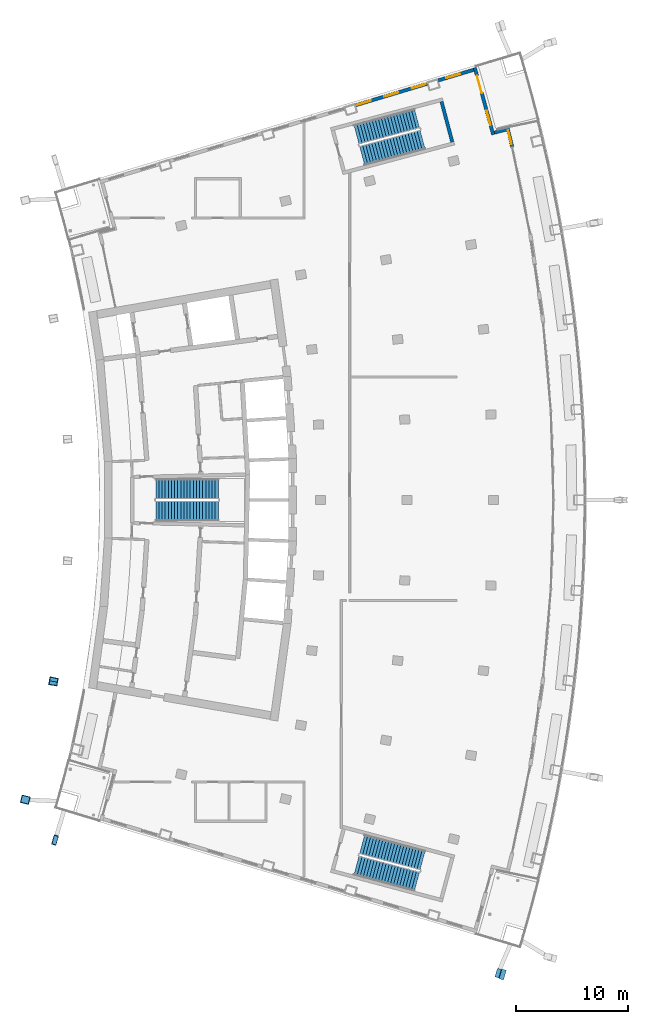
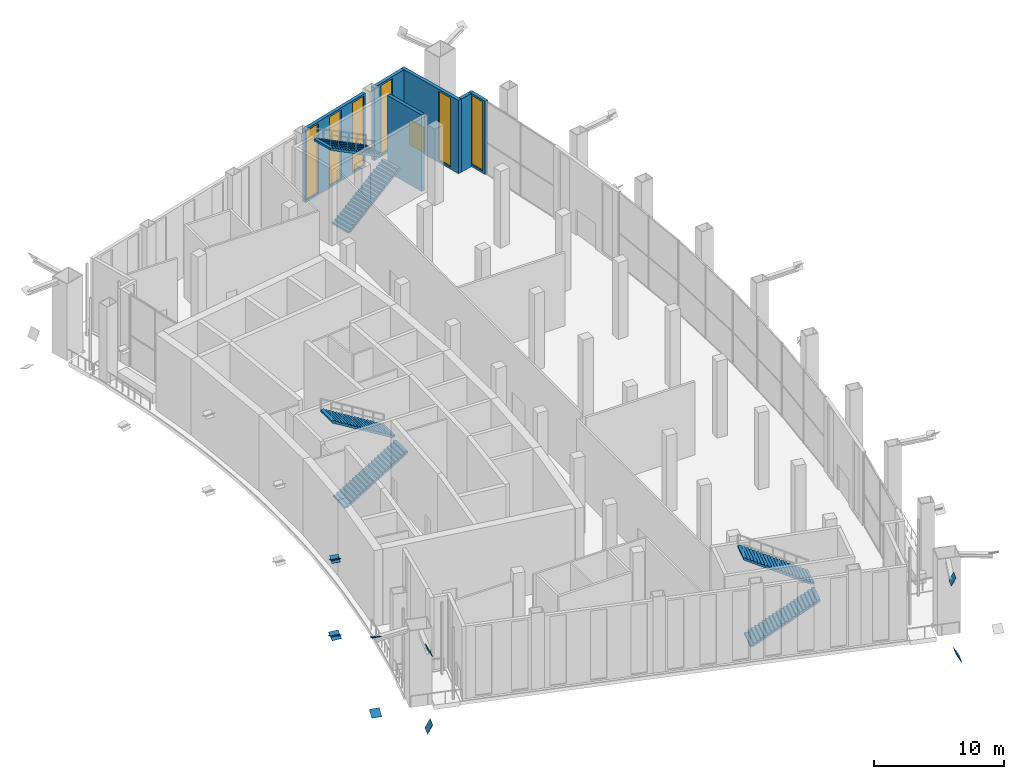
# One storey, part 19 of 26: 10 discrete accessories, 6 stair flights, 6 walls, 6 windows, 1 door, 7 openings, 3 elements without a shape of their own.
"""IFC4 building model written with IfcOpenShell, lengths in metres."""

from ifc_helpers import new_model, si_unit, direction, frame, frame_2d, origin, origin_2d, place, context, subcontext, project, spatial, polyline, rectangle, outline, extrude, material, layer, layer_set, material_profile, profile_set, type_object, element, fill, aggregate, save


model = new_model("IFC4")

# Units and contexts
model_context = context("Model", 3, precision=1e-05, world=origin(), true_north=direction((0.0, 1.0)))
body_context = subcontext(model_context, "Body", "Model", "MODEL_VIEW")
ifc_project = project(units=[si_unit("LENGTHUNIT", "METRE"), si_unit("AREAUNIT", "SQUARE_METRE"), si_unit("VOLUMEUNIT", "CUBIC_METRE"), si_unit("PLANEANGLEUNIT", "RADIAN"), si_unit("MASSUNIT", "GRAM", prefix="KILO")], contexts=[model_context])

# Site, building, storey
site_placement = place(None, origin())
site = spatial("IfcSite", under=ifc_project, at=site_placement, CompositionType="ELEMENT")
building_placement = place(site_placement, origin())
building = spatial("IfcBuilding", under=site, at=building_placement, Name="Alderwake Tower", CompositionType="ELEMENT")
storey_placement = place(building_placement, frame((0.0, 0.0, 182.0)))
storey = spatial("IfcBuildingStorey", under=building, at=storey_placement, Name="L45", CompositionType="ELEMENT", Elevation=182.0)

# Wall
ifc_material_1 = material(Name="Concrete C70/85", Category="concrete")
ifc_layer_1 = layer(ifc_material_1, 0.300048828125)
ifc_layer_set_1 = layer_set([ifc_layer_1], Name="Core wall stair enclosure 300 C70-85")
wall_type_1 = type_object("IfcWallType", Name="Core wall stair enclosure 300 C70-85", PredefinedType="SHEAR", material=ifc_layer_set_1)
wall_1_placement = place(storey_placement, frame((47.581298828125, 93.041748046875, 0.0), z_axis=(0.0, 0.0, 1.0), x_axis=(-0.257366821694, 0.966313778796, 0.0)))
element("IfcWall", 1, at=wall_1_placement, inside=storey, type_object=wall_type_1, Name="Core wall CW.081", PredefinedType="SHEAR", context=body_context, shape_type="SweptSolid", body=[
    extrude(rectangle(XDim=3.749755859375, YDim=0.300048828125, at=frame_2d((1.875, 0.0))), origin(), (0.0, 0.0, 1.0), 7.199951171875),
])

# Wall, opening, window
ifc_material_2 = material(Name="Precast concrete C50/60 spandrel panel", Category="concrete")
ifc_layer_2 = layer(ifc_material_2, 0.300048828125)
ifc_layer_set_2 = layer_set([ifc_layer_2], Name="External wall EW1 Precast concrete C50/60 spandrel")
wall_type_2 = type_object("IfcWallType", Name="External wall EW1 Precast concrete C50/60 spandrel", PredefinedType="SOLIDWALL", material=ifc_layer_set_2)
wall_2_placement = place(storey_placement, frame((52.947021484375, 92.59619140625, 0.0), z_axis=(0.0, 0.0, 1.0), x_axis=(-0.238272414393, 0.971198361067, 0.0)))
wall_2 = element("IfcWall", 2, at=wall_2_placement, inside=storey, type_object=wall_type_2, Name="External wall 17", PredefinedType="SOLIDWALL", context=body_context, shape_type="SweptSolid", body=[
    extrude(rectangle(XDim=1.793212890625, YDim=0.300048828125, at=frame_2d((0.896484375, 0.0))), origin(), (0.0, 0.0, 1.0), 6.8798828125),
])
opening_1_placement = place(wall_2_placement, frame((0.24658203125, 0.0, 0.199951171875)))
opening_1 = element("IfcOpeningElement", 3, at=opening_1_placement, cuts=wall_2, Name="Opening W5", PredefinedType="OPENING", context=body_context, shape_type="SweptSolid", body=[
    extrude(rectangle(XDim=1.300048828125, YDim=6.5, at=frame_2d((0.64990234375, 3.25))), frame((0.0, 0.159912109375, 0.0), z_axis=(0.0, -1.0, 0.0), x_axis=(1.0, 0.0, 0.0)), (0.0, 0.0, 1.0), 0.320068359375),
])
ifc_material_3 = material(Name="Bronze tinted glass in aluminium frame", Category="aluminium")
window_type = type_object("IfcWindowType", Name="Window W5 garden floor tall", PartitioningType="SINGLE_PANEL", PredefinedType="WINDOW", material=ifc_material_3)
window_1_placement = place(opening_1_placement, origin())
window_1 = element("IfcWindow", 4, at=window_1_placement, inside=storey, type_object=window_type, Name="Window W5 garden floor tall", OverallHeight=6.5, OverallWidth=1.300048828125, PartitioningType="SINGLE_PANEL", PredefinedType="WINDOW", context=body_context, shape_type="SweptSolid", body=[
    extrude(rectangle(XDim=1.300048828125, YDim=6.5, at=frame_2d((0.64990234375, 3.25))), frame((0.0, 0.030029296875, 0.0), z_axis=(0.0, -1.0, 0.0), x_axis=(1.0, 0.0, 0.0)), (0.0, 0.0, 1.0), 0.06005859375),
])
fill(opening_1, window_1)

# Wall
ifc_material_4 = material(Name="Bronze metal cladding on lightweight framing")
ifc_layer_3 = layer(ifc_material_4, 0.300048828125)
ifc_layer_set_3 = layer_set([ifc_layer_3], Name="External wall EW2 bronze metal cladding")
wall_type_3 = type_object("IfcWallType", Name="External wall EW2 bronze metal cladding", PredefinedType="SOLIDWALL", material=ifc_layer_set_3)
wall_3_placement = place(storey_placement, frame((52.409912109375, 94.155029296875, 0.0), z_axis=(0.0, 0.0, 1.0), x_axis=(-0.969469436382, -0.24521217735, 0.0)))
element("IfcWall", 5, at=wall_3_placement, inside=storey, type_object=wall_type_3, Name="External wall 18", PredefinedType="SOLIDWALL", context=body_context, shape_type="SweptSolid", body=[
    extrude(rectangle(XDim=1.09423828125, YDim=0.300048828125, at=frame_2d((0.547119140625, 0.0))), origin(), (0.0, 0.0, 1.0), 6.8798828125),
])

# Wall, openings, door, window
wall_4_placement = place(storey_placement, frame((51.243408203125, 93.705078125, 0.0), z_axis=(0.0, 0.0, 1.0), x_axis=(-0.265080723664, 0.964226223426, 0.0)))
wall_4 = element("IfcWall", 6, at=wall_4_placement, inside=storey, type_object=wall_type_3, Name="External wall 19", PredefinedType="SOLIDWALL", context=body_context, shape_type="SweptSolid", body=[
    extrude(rectangle(XDim=6.216796875, YDim=0.300048828125, at=frame_2d((3.1083984375, 0.0))), origin(), (0.0, 0.0, 1.0), 6.8798828125),
])
opening_2_placement = place(wall_4_placement, frame((0.904296875, 0.0, 0.199951171875)))
opening_2 = element("IfcOpeningElement", 7, at=opening_2_placement, cuts=wall_4, Name="Opening W5", PredefinedType="OPENING", context=body_context, shape_type="SweptSolid", body=[
    extrude(rectangle(XDim=1.300048828125, YDim=6.5, at=frame_2d((0.64990234375, 3.25))), frame((0.0, 0.159912109375, 0.0), z_axis=(0.0, -1.0, 0.0), x_axis=(1.0, 0.0, 0.0)), (0.0, 0.0, 1.0), 0.320068359375),
])
opening_3_placement = place(wall_4_placement, frame((3.862548828125, 0.0, 0.0)))
opening_3 = element("IfcOpeningElement", 8, at=opening_3_placement, cuts=wall_4, Name="Opening D06", PredefinedType="OPENING", context=body_context, shape_type="SweptSolid", body=[
    extrude(rectangle(XDim=1.60009765625, YDim=2.39990234375, at=frame_2d((0.800048828125, 1.199951171875))), frame((0.0, 0.159912109375, 0.0), z_axis=(0.0, -1.0, 0.0), x_axis=(1.0, 0.0, 0.0)), (0.0, 0.0, 1.0), 0.320068359375),
])
ifc_material_5 = material(Name="Bronze tinted glass in aluminium frame", Category="aluminium")
door_type = type_object("IfcDoorType", Name="Terrace door TD sliding", OperationType="SLIDING_TO_LEFT", PredefinedType="DOOR", material=ifc_material_5)
door_placement = place(opening_3_placement, origin())
door = element("IfcDoor", 9, at=door_placement, inside=storey, type_object=door_type, Name="Door D06", OperationType="SLIDING_TO_LEFT", OverallHeight=2.39990234375, OverallWidth=1.60009765625, PredefinedType="DOOR", context=body_context, shape_type="SweptSolid", body=[
    extrude(rectangle(XDim=1.60009765625, YDim=2.39990234375, at=frame_2d((0.800048828125, 1.199951171875))), frame((0.0, 0.02490234375, 0.0), z_axis=(0.0, -1.0, 0.0), x_axis=(1.0, 0.0, 0.0)), (0.0, 0.0, 1.0), 0.050048828125),
])
fill(opening_3, door)
window_2_placement = place(opening_2_placement, origin())
window_2 = element("IfcWindow", 10, at=window_2_placement, inside=storey, type_object=window_type, Name="Window W5 garden floor tall", OverallHeight=6.5, OverallWidth=1.300048828125, PartitioningType="SINGLE_PANEL", PredefinedType="WINDOW", context=body_context, shape_type="SweptSolid", body=[
    extrude(rectangle(XDim=1.300048828125, YDim=6.5, at=frame_2d((0.64990234375, 3.25))), frame((0.0, 0.030029296875, 0.0), z_axis=(0.0, -1.0, 0.0), x_axis=(1.0, 0.0, 0.0)), (0.0, 0.0, 1.0), 0.06005859375),
])
fill(opening_2, window_2)

# Wall, opening, window
wall_5_placement = place(storey_placement, frame((49.49169921875, 99.51171875, 0.0), z_axis=(0.0, 0.0, 1.0), x_axis=(-0.957757642826, -0.287576594332, 0.0)))
wall_5 = element("IfcWall", 11, at=wall_5_placement, inside=storey, type_object=wall_type_3, Name="External wall 20", PredefinedType="SOLIDWALL", context=body_context, shape_type="SweptSolid", body=[
    extrude(rectangle(XDim=3.32958984375, YDim=0.300048828125, at=frame_2d((1.664794921875, 0.0))), origin(), (0.0, 0.0, 1.0), 6.8798828125),
])
opening_4_placement = place(wall_5_placement, frame((1.265625, 0.0, 0.199951171875)))
opening_4 = element("IfcOpeningElement", 12, at=opening_4_placement, cuts=wall_5, Name="Opening W5", PredefinedType="OPENING", context=body_context, shape_type="SweptSolid", body=[
    extrude(rectangle(XDim=1.300048828125, YDim=6.5, at=frame_2d((0.64990234375, 3.25))), frame((0.0, 0.159912109375, 0.0), z_axis=(0.0, -1.0, 0.0), x_axis=(1.0, 0.0, 0.0)), (0.0, 0.0, 1.0), 0.320068359375),
])
window_3_placement = place(opening_4_placement, origin())
window_3 = element("IfcWindow", 13, at=window_3_placement, inside=storey, type_object=window_type, Name="Window W5 garden floor tall", OverallHeight=6.5, OverallWidth=1.300048828125, PartitioningType="SINGLE_PANEL", PredefinedType="WINDOW", context=body_context, shape_type="SweptSolid", body=[
    extrude(rectangle(XDim=1.300048828125, YDim=6.5, at=frame_2d((0.64990234375, 3.25))), frame((0.0, 0.030029296875, 0.0), z_axis=(0.0, -1.0, 0.0), x_axis=(1.0, 0.0, 0.0)), (0.0, 0.0, 1.0), 0.06005859375),
])
fill(opening_4, window_3)

# Wall, openings, windows
wall_6_placement = place(storey_placement, frame((45.341552734375, 98.265625, 0.0), z_axis=(0.0, 0.0, 1.0), x_axis=(-0.957769353605, -0.287537589359, 0.0)))
wall_6 = element("IfcWall", 14, at=wall_6_placement, inside=storey, type_object=wall_type_3, Name="External wall 21", PredefinedType="SOLIDWALL", context=body_context, shape_type="SweptSolid", body=[
    extrude(rectangle(XDim=6.729736328125, YDim=0.300048828125, at=frame_2d((3.36474609375, 0.0))), origin(), (0.0, 0.0, 1.0), 6.8798828125),
])
opening_5_placement = place(wall_6_placement, frame((0.13720703125, 0.0, 0.199951171875)))
opening_5 = element("IfcOpeningElement", 15, at=opening_5_placement, cuts=wall_6, Name="Opening W5", PredefinedType="OPENING", context=body_context, shape_type="SweptSolid", body=[
    extrude(rectangle(XDim=1.300048828125, YDim=6.5, at=frame_2d((0.64990234375, 3.25))), frame((0.0, 0.159912109375, 0.0), z_axis=(0.0, -1.0, 0.0), x_axis=(1.0, 0.0, 0.0)), (0.0, 0.0, 1.0), 0.320068359375),
])
opening_6_placement = place(wall_6_placement, frame((2.71484375, 0.0, 0.199951171875)))
opening_6 = element("IfcOpeningElement", 16, at=opening_6_placement, cuts=wall_6, Name="Opening W5", PredefinedType="OPENING", context=body_context, shape_type="SweptSolid", body=[
    extrude(rectangle(XDim=1.300048828125, YDim=6.5, at=frame_2d((0.64990234375, 3.25))), frame((0.0, 0.159912109375, 0.0), z_axis=(0.0, -1.0, 0.0), x_axis=(1.0, 0.0, 0.0)), (0.0, 0.0, 1.0), 0.320068359375),
])
opening_7_placement = place(wall_6_placement, frame((5.292724609375, 0.0, 0.199951171875)))
opening_7 = element("IfcOpeningElement", 17, at=opening_7_placement, cuts=wall_6, Name="Opening W5", PredefinedType="OPENING", context=body_context, shape_type="SweptSolid", body=[
    extrude(rectangle(XDim=1.300048828125, YDim=6.5, at=frame_2d((0.64990234375, 3.25))), frame((0.0, 0.159912109375, 0.0), z_axis=(0.0, -1.0, 0.0), x_axis=(1.0, 0.0, 0.0)), (0.0, 0.0, 1.0), 0.320068359375),
])
window_4_placement = place(opening_5_placement, origin())
window_4 = element("IfcWindow", 18, at=window_4_placement, inside=storey, type_object=window_type, Name="Window W5 garden floor tall", OverallHeight=6.5, OverallWidth=1.300048828125, PartitioningType="SINGLE_PANEL", PredefinedType="WINDOW", context=body_context, shape_type="SweptSolid", body=[
    extrude(rectangle(XDim=1.300048828125, YDim=6.5, at=frame_2d((0.64990234375, 3.25))), frame((0.0, 0.030029296875, 0.0), z_axis=(0.0, -1.0, 0.0), x_axis=(1.0, 0.0, 0.0)), (0.0, 0.0, 1.0), 0.06005859375),
])
fill(opening_5, window_4)
window_5_placement = place(opening_6_placement, origin())
window_5 = element("IfcWindow", 19, at=window_5_placement, inside=storey, type_object=window_type, Name="Window W5 garden floor tall", OverallHeight=6.5, OverallWidth=1.300048828125, PartitioningType="SINGLE_PANEL", PredefinedType="WINDOW", context=body_context, shape_type="SweptSolid", body=[
    extrude(rectangle(XDim=1.300048828125, YDim=6.5, at=frame_2d((0.64990234375, 3.25))), frame((0.0, 0.030029296875, 0.0), z_axis=(0.0, -1.0, 0.0), x_axis=(1.0, 0.0, 0.0)), (0.0, 0.0, 1.0), 0.06005859375),
])
fill(opening_6, window_5)
window_6_placement = place(opening_7_placement, origin())
window_6 = element("IfcWindow", 20, at=window_6_placement, inside=storey, type_object=window_type, Name="Window W5 garden floor tall", OverallHeight=6.5, OverallWidth=1.300048828125, PartitioningType="SINGLE_PANEL", PredefinedType="WINDOW", context=body_context, shape_type="SweptSolid", body=[
    extrude(rectangle(XDim=1.300048828125, YDim=6.5, at=frame_2d((0.64990234375, 3.25))), frame((0.0, 0.030029296875, 0.0), z_axis=(0.0, -1.0, 0.0), x_axis=(1.0, 0.0, 0.0)), (0.0, 0.0, 1.0), 0.06005859375),
])
fill(opening_7, window_6)

# Stair, stair flights
ifc_material_6 = material(Name="Concrete C40/50", Category="concrete")
stair_type = type_object("IfcStairType", Name="Core exit stair", PredefinedType="HALF_TURN_STAIR", material=ifc_material_6)
stair_1_placement = place(storey_placement, origin())
stair_1 = element("IfcStair", 21, at=stair_1_placement, inside=storey, type_object=stair_type, Name="L45 Exit Stair B", PredefinedType="HALF_TURN_STAIR")
ifc_material_7 = material(Name="Concrete C40/50", Category="concrete")
ifc_layer_4 = layer(ifc_material_7, 0.14990234375)
ifc_layer_set_4 = layer_set([ifc_layer_4], Name="Core stair flight")
stair_flight_type = type_object("IfcStairFlightType", Name="Core stair flight", PredefinedType="STRAIGHT", material=ifc_layer_set_4)
stair_flight_1_placement = place(storey_placement, frame((21.0400390625, 60.02490234375, 0.0), z_axis=(0.0, 0.0, 1.0), x_axis=(1.0, 0.0, 0.0)))
stair_flight_1 = element("IfcStairFlight", 22, at=stair_flight_1_placement, type_object=stair_flight_type, Name="ST-B flight 1", NumberOfRisers=21, NumberOfTreads=20, PredefinedType="STRAIGHT", RiserHeight=0.171428571, TreadLength=0.28, context=body_context, shape_type="SweptSolid", body=[
    extrude(outline(polyline([(0.0, 0.0), (0.0, 0.17138671875), (0.280029296875, 0.17138671875), (0.280029296875, 0.3427734375), (0.56005859375, 0.3427734375), (0.56005859375, 0.514404296875), (0.840087890625, 0.514404296875), (0.840087890625, 0.685791015625), (1.1201171875, 0.685791015625), (1.1201171875, 0.857177734375), (1.39990234375, 0.857177734375), (1.39990234375, 1.028564453125), (1.679931640625, 1.028564453125), (1.679931640625, 1.199951171875), (1.9599609375, 1.199951171875), (1.9599609375, 1.371337890625), (2.239990234375, 1.371337890625), (2.239990234375, 1.54296875), (2.52001953125, 1.54296875), (2.52001953125, 1.71435546875), (2.800048828125, 1.71435546875), (2.800048828125, 1.8857421875), (3.080078125, 1.8857421875), (3.080078125, 2.05712890625), (3.360107421875, 2.05712890625), (3.360107421875, 2.228515625), (3.639892578125, 2.228515625), (3.639892578125, 2.39990234375), (3.919921875, 2.39990234375), (3.919921875, 2.571533203125), (4.199951171875, 2.571533203125), (4.199951171875, 2.742919921875), (4.47998046875, 2.742919921875), (4.47998046875, 2.914306640625), (4.760009765625, 2.914306640625), (4.760009765625, 3.085693359375), (5.0400390625, 3.085693359375), (5.0400390625, 3.257080078125), (5.320068359375, 3.257080078125), (5.320068359375, 3.428466796875), (5.60009765625, 3.428466796875), (5.60009765625, 3.60009765625), (5.60009765625, 3.252685546875), (0.287109375, 0.0), (0.0, 0.0)])), frame((0.0, 0.89990234375, 0.0), z_axis=(0.0, -1.0, 0.0), x_axis=(1.0, 0.0, 0.0)), (0.0, 0.0, 1.0), 1.800048828125),
])
stair_flight_2_placement = place(storey_placement, frame((26.639892578125, 61.97509765625, 3.60009765625), z_axis=(0.0, 0.0, 1.0), x_axis=(-1.0, 0.0, 0.0)))
stair_flight_2 = element("IfcStairFlight", 23, at=stair_flight_2_placement, type_object=stair_flight_type, Name="ST-B flight 2", NumberOfRisers=21, NumberOfTreads=20, PredefinedType="STRAIGHT", RiserHeight=0.171428571, TreadLength=0.28, context=body_context, shape_type="SweptSolid", body=[
    extrude(outline(polyline([(0.0, 0.0), (0.0, 0.17138671875), (0.280029296875, 0.17138671875), (0.280029296875, 0.3427734375), (0.56005859375, 0.3427734375), (0.56005859375, 0.514404296875), (0.840087890625, 0.514404296875), (0.840087890625, 0.685791015625), (1.1201171875, 0.685791015625), (1.1201171875, 0.857177734375), (1.39990234375, 0.857177734375), (1.39990234375, 1.028564453125), (1.679931640625, 1.028564453125), (1.679931640625, 1.199951171875), (1.9599609375, 1.199951171875), (1.9599609375, 1.371337890625), (2.239990234375, 1.371337890625), (2.239990234375, 1.54296875), (2.52001953125, 1.54296875), (2.52001953125, 1.71435546875), (2.800048828125, 1.71435546875), (2.800048828125, 1.8857421875), (3.080078125, 1.8857421875), (3.080078125, 2.05712890625), (3.360107421875, 2.05712890625), (3.360107421875, 2.228515625), (3.639892578125, 2.228515625), (3.639892578125, 2.39990234375), (3.919921875, 2.39990234375), (3.919921875, 2.571533203125), (4.199951171875, 2.571533203125), (4.199951171875, 2.742919921875), (4.47998046875, 2.742919921875), (4.47998046875, 2.914306640625), (4.760009765625, 2.914306640625), (4.760009765625, 3.085693359375), (5.0400390625, 3.085693359375), (5.0400390625, 3.257080078125), (5.320068359375, 3.257080078125), (5.320068359375, 3.428466796875), (5.60009765625, 3.428466796875), (5.60009765625, 3.60009765625), (5.60009765625, 3.252685546875), (0.287109375, 0.0), (0.0, 0.0)])), frame((0.0, 0.89990234375, 0.0), z_axis=(0.0, -1.0, 0.0), x_axis=(1.0, 0.0, 0.0)), (0.0, 0.0, 1.0), 1.800048828125),
])
aggregate(stair_1, [stair_flight_1, stair_flight_2])

stair_2_placement = place(storey_placement, origin())
stair_2 = element("IfcStair", 24, at=stair_2_placement, inside=storey, type_object=stair_type, Name="L45 Exit Stair A", PredefinedType="HALF_TURN_STAIR")
stair_flight_3_placement = place(storey_placement, frame((39.512939453125, 91.823974609375, 0.0), z_axis=(0.0, 0.0, 1.0), x_axis=(0.966309627437, 0.257382407951, 0.0)))
stair_flight_3 = element("IfcStairFlight", 25, at=stair_flight_3_placement, type_object=stair_flight_type, Name="ST-A flight 1", NumberOfRisers=21, NumberOfTreads=20, PredefinedType="STRAIGHT", RiserHeight=0.171428571, TreadLength=0.28, context=body_context, shape_type="SweptSolid", body=[
    extrude(outline(polyline([(0.0, 0.0), (0.0, 0.17138671875), (0.280029296875, 0.17138671875), (0.280029296875, 0.3427734375), (0.56005859375, 0.3427734375), (0.56005859375, 0.514404296875), (0.840087890625, 0.514404296875), (0.840087890625, 0.685791015625), (1.1201171875, 0.685791015625), (1.1201171875, 0.857177734375), (1.39990234375, 0.857177734375), (1.39990234375, 1.028564453125), (1.679931640625, 1.028564453125), (1.679931640625, 1.199951171875), (1.9599609375, 1.199951171875), (1.9599609375, 1.371337890625), (2.239990234375, 1.371337890625), (2.239990234375, 1.54296875), (2.52001953125, 1.54296875), (2.52001953125, 1.71435546875), (2.800048828125, 1.71435546875), (2.800048828125, 1.8857421875), (3.080078125, 1.8857421875), (3.080078125, 2.05712890625), (3.360107421875, 2.05712890625), (3.360107421875, 2.228515625), (3.639892578125, 2.228515625), (3.639892578125, 2.39990234375), (3.919921875, 2.39990234375), (3.919921875, 2.571533203125), (4.199951171875, 2.571533203125), (4.199951171875, 2.742919921875), (4.47998046875, 2.742919921875), (4.47998046875, 2.914306640625), (4.760009765625, 2.914306640625), (4.760009765625, 3.085693359375), (5.0400390625, 3.085693359375), (5.0400390625, 3.257080078125), (5.320068359375, 3.257080078125), (5.320068359375, 3.428466796875), (5.60009765625, 3.428466796875), (5.60009765625, 3.60009765625), (5.60009765625, 3.252685546875), (0.287109375, 0.0), (0.0, 0.0)])), frame((0.0, 0.89990234375, 0.0), z_axis=(0.0, -1.0, 0.0), x_axis=(1.0, 0.0, 0.0)), (0.0, 0.0, 1.0), 1.800048828125),
])
stair_flight_4_placement = place(storey_placement, frame((44.42236328125, 95.149658203125, 3.60009765625), z_axis=(0.0, 0.0, 1.0), x_axis=(-0.966309627437, -0.257382407951, 0.0)))
stair_flight_4 = element("IfcStairFlight", 26, at=stair_flight_4_placement, type_object=stair_flight_type, Name="ST-A flight 2", NumberOfRisers=21, NumberOfTreads=20, PredefinedType="STRAIGHT", RiserHeight=0.171428571, TreadLength=0.28, context=body_context, shape_type="SweptSolid", body=[
    extrude(outline(polyline([(0.0, 0.0), (0.0, 0.17138671875), (0.280029296875, 0.17138671875), (0.280029296875, 0.3427734375), (0.56005859375, 0.3427734375), (0.56005859375, 0.514404296875), (0.840087890625, 0.514404296875), (0.840087890625, 0.685791015625), (1.1201171875, 0.685791015625), (1.1201171875, 0.857177734375), (1.39990234375, 0.857177734375), (1.39990234375, 1.028564453125), (1.679931640625, 1.028564453125), (1.679931640625, 1.199951171875), (1.9599609375, 1.199951171875), (1.9599609375, 1.371337890625), (2.239990234375, 1.371337890625), (2.239990234375, 1.54296875), (2.52001953125, 1.54296875), (2.52001953125, 1.71435546875), (2.800048828125, 1.71435546875), (2.800048828125, 1.8857421875), (3.080078125, 1.8857421875), (3.080078125, 2.05712890625), (3.360107421875, 2.05712890625), (3.360107421875, 2.228515625), (3.639892578125, 2.228515625), (3.639892578125, 2.39990234375), (3.919921875, 2.39990234375), (3.919921875, 2.571533203125), (4.199951171875, 2.571533203125), (4.199951171875, 2.742919921875), (4.47998046875, 2.742919921875), (4.47998046875, 2.914306640625), (4.760009765625, 2.914306640625), (4.760009765625, 3.085693359375), (5.0400390625, 3.085693359375), (5.0400390625, 3.257080078125), (5.320068359375, 3.257080078125), (5.320068359375, 3.428466796875), (5.60009765625, 3.428466796875), (5.60009765625, 3.60009765625), (5.60009765625, 3.252685546875), (0.287109375, 0.0), (0.0, 0.0)])), frame((0.0, 0.89990234375, 0.0), z_axis=(0.0, -1.0, 0.0), x_axis=(1.0, 0.0, 0.0)), (0.0, 0.0, 1.0), 1.800048828125),
])
aggregate(stair_2, [stair_flight_3, stair_flight_4])

stair_3_placement = place(storey_placement, origin())
stair_3 = element("IfcStair", 27, at=stair_3_placement, inside=storey, type_object=stair_type, Name="L45 Exit Stair C", PredefinedType="HALF_TURN_STAIR")
stair_flight_5_placement = place(storey_placement, frame((39.010986328125, 28.291748046875, 0.0), z_axis=(0.0, 0.0, 1.0), x_axis=(0.966309627437, -0.257382407951, 0.0)))
stair_flight_5 = element("IfcStairFlight", 28, at=stair_flight_5_placement, type_object=stair_flight_type, Name="ST-C flight 1", NumberOfRisers=21, NumberOfTreads=20, PredefinedType="STRAIGHT", RiserHeight=0.171428571, TreadLength=0.28, context=body_context, shape_type="SweptSolid", body=[
    extrude(outline(polyline([(0.0, 0.0), (0.0, 0.17138671875), (0.280029296875, 0.17138671875), (0.280029296875, 0.3427734375), (0.56005859375, 0.3427734375), (0.56005859375, 0.514404296875), (0.840087890625, 0.514404296875), (0.840087890625, 0.685791015625), (1.1201171875, 0.685791015625), (1.1201171875, 0.857177734375), (1.39990234375, 0.857177734375), (1.39990234375, 1.028564453125), (1.679931640625, 1.028564453125), (1.679931640625, 1.199951171875), (1.9599609375, 1.199951171875), (1.9599609375, 1.371337890625), (2.239990234375, 1.371337890625), (2.239990234375, 1.54296875), (2.52001953125, 1.54296875), (2.52001953125, 1.71435546875), (2.800048828125, 1.71435546875), (2.800048828125, 1.8857421875), (3.080078125, 1.8857421875), (3.080078125, 2.05712890625), (3.360107421875, 2.05712890625), (3.360107421875, 2.228515625), (3.639892578125, 2.228515625), (3.639892578125, 2.39990234375), (3.919921875, 2.39990234375), (3.919921875, 2.571533203125), (4.199951171875, 2.571533203125), (4.199951171875, 2.742919921875), (4.47998046875, 2.742919921875), (4.47998046875, 2.914306640625), (4.760009765625, 2.914306640625), (4.760009765625, 3.085693359375), (5.0400390625, 3.085693359375), (5.0400390625, 3.257080078125), (5.320068359375, 3.257080078125), (5.320068359375, 3.428466796875), (5.60009765625, 3.428466796875), (5.60009765625, 3.60009765625), (5.60009765625, 3.252685546875), (0.287109375, 0.0), (0.0, 0.0)])), frame((0.0, 0.89990234375, 0.0), z_axis=(0.0, -1.0, 0.0), x_axis=(1.0, 0.0, 0.0)), (0.0, 0.0, 1.0), 1.800048828125),
])
stair_flight_6_placement = place(storey_placement, frame((44.92431640625, 28.734619140625, 3.60009765625), z_axis=(0.0, 0.0, 1.0), x_axis=(-0.966309627437, 0.257382407951, 0.0)))
stair_flight_6 = element("IfcStairFlight", 29, at=stair_flight_6_placement, type_object=stair_flight_type, Name="ST-C flight 2", NumberOfRisers=21, NumberOfTreads=20, PredefinedType="STRAIGHT", RiserHeight=0.171428571, TreadLength=0.28, context=body_context, shape_type="SweptSolid", body=[
    extrude(outline(polyline([(0.0, 0.0), (0.0, 0.17138671875), (0.280029296875, 0.17138671875), (0.280029296875, 0.3427734375), (0.56005859375, 0.3427734375), (0.56005859375, 0.514404296875), (0.840087890625, 0.514404296875), (0.840087890625, 0.685791015625), (1.1201171875, 0.685791015625), (1.1201171875, 0.857177734375), (1.39990234375, 0.857177734375), (1.39990234375, 1.028564453125), (1.679931640625, 1.028564453125), (1.679931640625, 1.199951171875), (1.9599609375, 1.199951171875), (1.9599609375, 1.371337890625), (2.239990234375, 1.371337890625), (2.239990234375, 1.54296875), (2.52001953125, 1.54296875), (2.52001953125, 1.71435546875), (2.800048828125, 1.71435546875), (2.800048828125, 1.8857421875), (3.080078125, 1.8857421875), (3.080078125, 2.05712890625), (3.360107421875, 2.05712890625), (3.360107421875, 2.228515625), (3.639892578125, 2.228515625), (3.639892578125, 2.39990234375), (3.919921875, 2.39990234375), (3.919921875, 2.571533203125), (4.199951171875, 2.571533203125), (4.199951171875, 2.742919921875), (4.47998046875, 2.742919921875), (4.47998046875, 2.914306640625), (4.760009765625, 2.914306640625), (4.760009765625, 3.085693359375), (5.0400390625, 3.085693359375), (5.0400390625, 3.257080078125), (5.320068359375, 3.257080078125), (5.320068359375, 3.428466796875), (5.60009765625, 3.428466796875), (5.60009765625, 3.60009765625), (5.60009765625, 3.252685546875), (0.287109375, 0.0), (0.0, 0.0)])), frame((0.0, 0.89990234375, 0.0), z_axis=(0.0, -1.0, 0.0), x_axis=(1.0, 0.0, 0.0)), (0.0, 0.0, 1.0), 1.800048828125),
])
aggregate(stair_3, [stair_flight_5, stair_flight_6])

# Discrete accessories
ifc_material_8 = material(Name="Steel ASTM A572 Grade 50", Category="steel")
ifc_material_profile_1 = material_profile(ifc_material_8, rectangle(XDim=0.699951171875, YDim=0.699951171875, at=origin_2d()), Name="BOX 700X700X45 cap")
ifc_profile_set_1 = profile_set([ifc_material_profile_1], Name="Steel ASTM A572 Grade 50")
discrete_accessory_type_1 = type_object("IfcDiscreteAccessoryType", Name="End cap plate BOX 700X700X45", PredefinedType="USERDEFINED", material=ifc_profile_set_1)
for number, where, z_axis, x_axis, name in (
    (30, (9.359619140625, 34.171630859375, 7.199951171875), (-0.105869651339, -0.43162242469, -0.895820126716), (0.971210844098, -0.238221527798, 0.0), "End cap BRR4.1.2A S"),
    (31, (11.875, 44.755615234375, 7.199951171875), (0.105495990526, 0.438214114494, -0.892658381376), (-0.972223637158, 0.234053838575, 0.0), "End cap BRR4.1.2B1 S"),
    (32, (11.875, 44.755615234375, 7.199951171875), (-0.056826119483, -0.446490938798, -0.892981877596), (0.991997911724, -0.126254279674, 0.0), "End cap BRR4.1.4A S"),
):
    element("IfcDiscreteAccessory", number, at=place(storey_placement, frame(where, z_axis=z_axis, x_axis=x_axis)), inside=storey, type_object=discrete_accessory_type_1, Name=name, ObjectType="END CAP", PredefinedType="USERDEFINED", context=body_context, shape_type="SweptSolid", body=[
        extrude(rectangle(XDim=0.699951171875, YDim=0.699951171875, at=origin_2d()), origin(), (0.0, 0.0, 1.0), 0.030029296875),
    ])
ifc_material_9 = material(Name="Steel ASTM A572 Grade 50", Category="steel")
ifc_material_profile_2 = material_profile(ifc_material_9, rectangle(XDim=0.800048828125, YDim=0.800048828125, at=origin_2d()), Name="BOX 800X800X50 cap")
ifc_profile_set_2 = profile_set([ifc_material_profile_2], Name="Steel ASTM A572 Grade 50")
discrete_accessory_type_2 = type_object("IfcDiscreteAccessoryType", Name="End cap plate BOX 800X800X50", PredefinedType="USERDEFINED", material=ifc_profile_set_2)
for number, where, z_axis, x_axis, name in (
    (33, (11.875, 44.755615234375, 0.0), (0.105495990526, 0.438214114494, 0.892658381376), (-0.972223637158, 0.234053838575, 0.0), "End cap BRR3.2.2A N"),
    (34, (9.359619140625, 34.171630859375, 0.0), (-0.105869651339, -0.43162242469, 0.895820126716), (0.971210844098, -0.238221527798, 0.0), "End cap BRR3.2.2B2 N"),
    (35, (11.875, 44.755615234375, 0.0), (-0.056826119483, -0.446490938798, 0.892981877596), (0.991997911724, -0.126254279674, 0.0), "End cap BRR3.2.4B2 N"),
    (36, (12.031005859375, 30.550537109375, 7.199951171875), (-0.845193327069, 0.251932626338, -0.471357817019), (-0.285656661543, -0.958332025822, 0.0), "End cap BRS4.1.0A S"),
    (37, (51.6826171875, 18.64599609375, 7.199951171875), (0.850683618609, -0.251154211208, -0.461799678673), (0.283155210121, 0.959074098796, 0.0), "End cap BRS4.1.0B1 S"),
):
    element("IfcDiscreteAccessory", number, at=place(storey_placement, frame(where, z_axis=z_axis, x_axis=x_axis)), inside=storey, type_object=discrete_accessory_type_2, Name=name, ObjectType="END CAP", PredefinedType="USERDEFINED", context=body_context, shape_type="SweptSolid", body=[
        extrude(rectangle(XDim=0.800048828125, YDim=0.800048828125, at=origin_2d()), origin(), (0.0, 0.0, 1.0), 0.030029296875),
    ])
ifc_material_10 = material(Name="Steel ASTM A572 Grade 50", Category="steel")
ifc_material_profile_3 = material_profile(ifc_material_10, rectangle(XDim=0.89990234375, YDim=0.89990234375, at=origin_2d()), Name="BOX 900X900X55 cap")
ifc_profile_set_3 = profile_set([ifc_material_profile_3], Name="Steel ASTM A572 Grade 50")
discrete_accessory_type_3 = type_object("IfcDiscreteAccessoryType", Name="End cap plate BOX 900X900X55", PredefinedType="USERDEFINED", material=ifc_profile_set_3)
discrete_accessory_1_placement = place(storey_placement, frame((52.06591796875, 18.531005859375, 0.0), z_axis=(0.846648435185, -0.260507210826, 0.464028469284), x_axis=(0.294085848838, 0.955779008722, 0.0)))
element("IfcDiscreteAccessory", 38, at=discrete_accessory_1_placement, inside=storey, type_object=discrete_accessory_type_3, Name="End cap BRS3.2.0A N", ObjectType="END CAP", PredefinedType="USERDEFINED", context=body_context, shape_type="SweptSolid", body=[
    extrude(rectangle(XDim=0.89990234375, YDim=0.89990234375, at=origin_2d()), origin(), (0.0, 0.0, 1.0), 0.030029296875),
])
discrete_accessory_2_placement = place(storey_placement, frame((12.031005859375, 30.550537109375, 0.0), z_axis=(-0.851629762001, 0.253851179058, 0.458569871847), x_axis=(-0.285656661543, -0.958332025822, 0.0)))
element("IfcDiscreteAccessory", 39, at=discrete_accessory_2_placement, inside=storey, type_object=discrete_accessory_type_3, Name="End cap BRS3.2.0B2 N", ObjectType="END CAP", PredefinedType="USERDEFINED", context=body_context, shape_type="SweptSolid", body=[
    extrude(rectangle(XDim=0.89990234375, YDim=0.89990234375, at=origin_2d()), origin(), (0.0, 0.0, 1.0), 0.02978515625),
])

save(model, "model.ifc")
